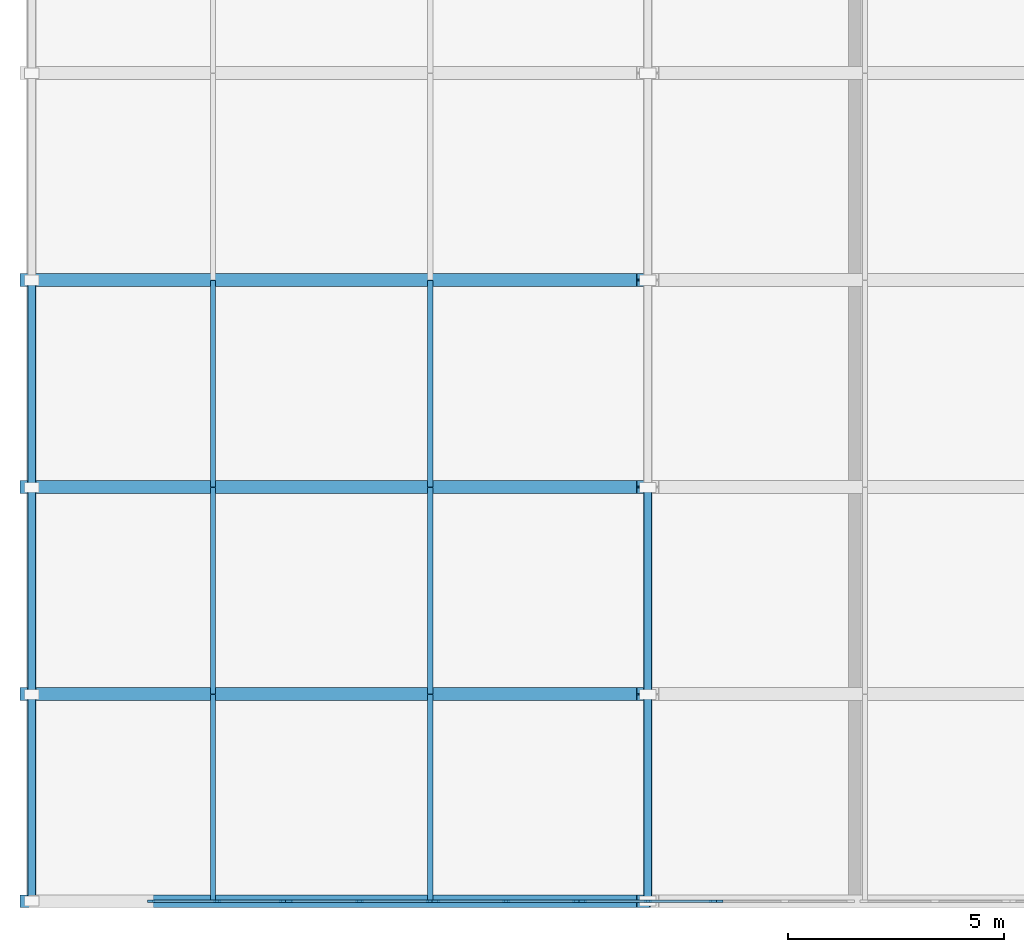
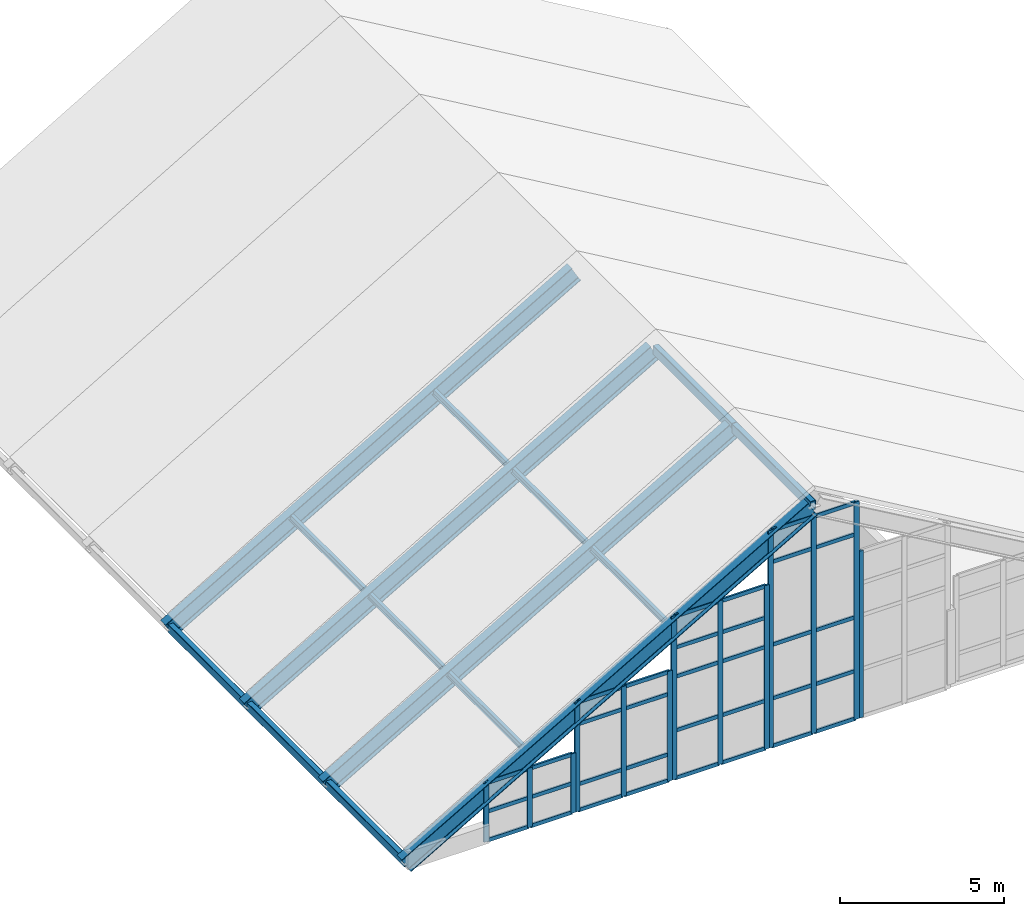
# One storey, part 1 of 7: 62 members, 5 elements without a shape of their own.
"""IFC4 building model written with IfcOpenShell, lengths in metres."""

import ifcopenshell
import ifcopenshell.guid

model = None  # the IFC model being written
_history = None  # IfcOwnerHistory: only IFC2X3 demands one
_inside = {}  # id of a spatial element -> (the spatial element, [elements in it])
_under = {}  # id of a project, library or spatial element -> (it, [spatial elements below it])
_declared = {}  # id of a project -> (the project, [libraries it declares])
_typed = {}  # id of a type object -> (the type object, [elements of that type])
_made_of = {}  # id of a material, layer set ... -> (it, [elements and type objects made of it])


def new_model(schema):
    """Start an empty IFC model of exactly this schema.

    Asked for "IFC4X3", IfcOpenShell would pick the latest addendum, in which some entities
    have other attributes; the version numbers below select the first issue.
    IFC2X3 requires an IfcOwnerHistory on every rooted entity: one is made here for all.
    """
    global model, _history
    if schema == "IFC4X3":
        model = ifcopenshell.file(schema_version=(4, 3, 0, 0))
    else:
        model = ifcopenshell.file(schema=schema)
    _inside.clear()
    _under.clear()
    _declared.clear()
    _typed.clear()
    _made_of.clear()
    _history = None
    if model.schema == "IFC2X3":
        org = make("IfcOrganization", Name="unknown")
        user = make(
            "IfcPersonAndOrganization",
            ThePerson=make("IfcPerson", FamilyName="unknown"),
            TheOrganization=org,
        )
        app = make(
            "IfcApplication",
            ApplicationDeveloper=org,
            Version="unknown",
            ApplicationFullName="unknown",
            ApplicationIdentifier="unknown",
        )
        _history = make(
            "IfcOwnerHistory",
            OwningUser=user,
            OwningApplication=app,
            ChangeAction="ADDED",
            CreationDate=0,
        )
    return model


def make(cls, **values):
    """One entity of the class cls with the attributes given. An attribute that is None is left unset."""
    return model.create_entity(
        cls, **{name: value for name, value in values.items() if value is not None}
    )


def rooted(cls, **values):
    """An entity with a GlobalId (a new one), such as an element, a storey or a relation."""
    return make(cls, GlobalId=ifcopenshell.guid.new(), OwnerHistory=_history, **values)


def si_unit(unit_type, name, prefix=None):
    """IfcSIUnit, for example si_unit("LENGTHUNIT", "METRE", prefix="MILLI")."""
    return make("IfcSIUnit", UnitType=unit_type, Prefix=prefix, Name=name)


def assignment(units):
    """IfcUnitAssignment: the units of a project."""
    return None if units is None else make("IfcUnitAssignment", Units=units)


def point(xyz):
    """IfcCartesianPoint."""
    return None if xyz is None else make("IfcCartesianPoint", Coordinates=xyz)


def direction(xyz):
    """IfcDirection."""
    return None if xyz is None else make("IfcDirection", DirectionRatios=xyz)


def frame(location, z_axis=None, x_axis=None):
    """IfcAxis2Placement3D, a coordinate frame: its origin and axes. An axis left out is left unset."""
    return make(
        "IfcAxis2Placement3D",
        Location=point(location),
        Axis=direction(z_axis),
        RefDirection=direction(x_axis),
    )


def frame_2d(location, x_axis=None):
    """IfcAxis2Placement2D, a coordinate frame in the plane: its origin and x axis."""
    return make(
        "IfcAxis2Placement2D", Location=point(location), RefDirection=direction(x_axis)
    )


def origin():
    """The frame at (0, 0, 0) with its axes left unset."""
    return frame((0.0, 0.0, 0.0))


def origin_2d():
    """The frame at (0, 0) in the plane with its x axis left unset."""
    return frame_2d((0.0, 0.0))


def place(relative_to, where):
    """IfcLocalPlacement: puts the frame where relative to a parent placement (None: the world)."""
    return make(
        "IfcLocalPlacement", PlacementRelTo=relative_to, RelativePlacement=where
    )


def context(
    kind, dimensions, precision=None, world=None, true_north=None, identifier=None
):
    """IfcGeometricRepresentationContext, for example the 3D "Model" context."""
    return make(
        "IfcGeometricRepresentationContext",
        ContextIdentifier=identifier,
        ContextType=kind,
        CoordinateSpaceDimension=dimensions,
        Precision=precision,
        WorldCoordinateSystem=world,
        TrueNorth=true_north,
    )


def subcontext(parent, identifier, kind, view, scale=None):
    """IfcGeometricRepresentationSubContext, for example "Body" below "Model"."""
    return make(
        "IfcGeometricRepresentationSubContext",
        ContextIdentifier=identifier,
        ContextType=kind,
        ParentContext=parent,
        TargetScale=scale,
        TargetView=view,
    )


def project(units=None, contexts=None):
    """IfcProject with its units and contexts."""
    return rooted(
        "IfcProject",
        Name="project",
        RepresentationContexts=contexts,
        UnitsInContext=assignment(units),
    )


def spatial(cls, under=None, at=None, **own):
    """A site, building, storey or space (cls), placed at a placement, below another one or the project."""
    s = rooted(cls, ObjectPlacement=at, **own)
    if under is not None:
        _under.setdefault(under.id(), (under, []))[1].append(s)
    return s


def profile(cls, at=None, kind="AREA", **sizes):
    """A parametric profile (cls). Its sizes go by their IFC names, for example OverallWidth=200.0."""
    return make(cls, ProfileType=kind, Position=at, **sizes)


def rectangle(**sizes):
    """IfcRectangleProfileDef."""
    return profile("IfcRectangleProfileDef", **sizes)


def hollow_rectangle(**sizes):
    """IfcRectangleHollowProfileDef."""
    return profile("IfcRectangleHollowProfileDef", **sizes)


def i_section(**sizes):
    """IfcIShapeProfileDef."""
    return profile("IfcIShapeProfileDef", **sizes)


def extrude(swept, where, along, depth):
    """IfcExtrudedAreaSolid: the profile swept, set in the frame where, extruded along a direction by depth."""
    return make(
        "IfcExtrudedAreaSolid",
        SweptArea=swept,
        Position=where,
        ExtrudedDirection=direction(along),
        Depth=depth,
    )


def shape(context_of_items, identifier, shape_type, items):
    """IfcShapeRepresentation: the items that make up one representation, for example the "Body"."""
    return make(
        "IfcShapeRepresentation",
        ContextOfItems=context_of_items,
        RepresentationIdentifier=identifier,
        RepresentationType=shape_type,
        Items=items,
    )


def material(Name=None, Category=None):
    """IfcMaterial."""
    return make("IfcMaterial", Name=Name, Category=Category)


def layer(
    of_material, thickness, ventilated=None, Name=None, Category=None, Priority=None
):
    """IfcMaterialLayer: one layer of a wall or slab, of a material (None: an air gap)."""
    return make(
        "IfcMaterialLayer",
        Material=of_material,
        LayerThickness=thickness,
        IsVentilated=ventilated,
        Name=Name,
        Category=Category,
        Priority=Priority,
    )


def layer_set(layers, Name=None):
    """IfcMaterialLayerSet."""
    return make("IfcMaterialLayerSet", MaterialLayers=layers, LayerSetName=Name)


def material_profile(
    of_material, cross_section, Name=None, Category=None, Priority=None
):
    """IfcMaterialProfile: a cross section and its material."""
    return make(
        "IfcMaterialProfile",
        Name=Name,
        Material=of_material,
        Profile=cross_section,
        Priority=Priority,
        Category=Category,
    )


def profile_set(profiles, Name=None, composite=None):
    """IfcMaterialProfileSet."""
    return make(
        "IfcMaterialProfileSet",
        Name=Name,
        MaterialProfiles=profiles,
        CompositeProfile=composite,
    )


def made_of(thing, what):
    """Note that an element or type object is made of a material, layer set ...; save() writes the relation."""
    if what is not None:
        _made_of.setdefault(what.id(), (what, []))[1].append(thing)
    return thing


def type_object(cls, material=None, **own):
    """A type object (cls), such as IfcWallType, which elements share."""
    return made_of(rooted(cls, **own), material)


def element(
    cls,
    number,
    at=None,
    inside=None,
    cuts=None,
    type_object=None,
    material=None,
    context=None,
    identifier="Body",
    shape_type=None,
    held_by="IfcProductDefinitionShape",
    body=None,
    shapes=None,
    **own,
):
    """One element of the class cls, such as IfcWall. Its Tag is "e" and its number.

    at: its placement. inside: the storey or other place that contains it. cuts: it is an
    opening in that element (IfcRelVoidsElement). A single representation is given by context,
    identifier, shape_type and body (its items); several are given by shapes. held_by: the class
    of the entity that holds the representations. save() writes the other relations.
    """
    e = rooted(cls, Tag="e%d" % number, ObjectPlacement=at, **own)
    if body is not None:
        shapes = [shape(context, identifier, shape_type, body)]
    if shapes is not None:
        e.Representation = make(held_by, Representations=shapes)
    if inside is not None:
        _inside.setdefault(inside.id(), (inside, []))[1].append(e)
    if cuts is not None:
        rooted(
            "IfcRelVoidsElement", RelatingBuildingElement=cuts, RelatedOpeningElement=e
        )
    if type_object is not None:
        _typed.setdefault(type_object.id(), (type_object, []))[1].append(e)
    return made_of(e, material)


def aggregate(whole, parts):
    """IfcRelAggregates: a whole, such as a stair, and the parts it consists of."""
    return rooted("IfcRelAggregates", RelatingObject=whole, RelatedObjects=parts)


def save(model, path):
    """Write the relations noted so far, then the file.

    IfcRelAggregates (storeys below a building ...), IfcRelContainedInSpatialStructure (elements
    in a storey), IfcRelDefinesByType, IfcRelAssociatesMaterial and IfcRelDeclares: one each for
    every whole, place, type object, material and project.
    """
    for whole, parts in _under.values():
        aggregate(whole, parts)
    for where, things in _inside.values():
        rooted(
            "IfcRelContainedInSpatialStructure",
            RelatedElements=things,
            RelatingStructure=where,
        )
    for kind, things in _typed.values():
        rooted("IfcRelDefinesByType", RelatedObjects=things, RelatingType=kind)
    for what, things in _made_of.values():
        rooted("IfcRelAssociatesMaterial", RelatedObjects=things, RelatingMaterial=what)
    for by, libraries in _declared.values():
        rooted("IfcRelDeclares", RelatingContext=by, RelatedDefinitions=libraries)
    model.write(path)


model = new_model("IFC4")

# Units and contexts
model_context = context("Model", 3, precision=1e-05, world=origin(), true_north=direction((0.0, 1.0)))
body_context = subcontext(model_context, "Body", "Model", "MODEL_VIEW")
ifc_project = project(units=[si_unit("LENGTHUNIT", "METRE"), si_unit("AREAUNIT", "SQUARE_METRE"), si_unit("VOLUMEUNIT", "CUBIC_METRE"), si_unit("PLANEANGLEUNIT", "RADIAN"), si_unit("MASSUNIT", "GRAM", prefix="KILO")], contexts=[model_context])

# Site, building, storey
site_placement = place(None, origin())
site = spatial("IfcSite", under=ifc_project, at=site_placement, CompositionType="ELEMENT")
building_placement = place(site_placement, origin())
building = spatial("IfcBuilding", under=site, at=building_placement, Name="Nordkorset Police Headquarters", CompositionType="ELEMENT")
storey_placement = place(building_placement, frame((0.0, 0.0, 36.050048828125)))
storey = spatial("IfcBuildingStorey", under=building, at=storey_placement, Name="RF", CompositionType="ELEMENT", Elevation=36.050048828125)

# Curtain wall, members
ifc_material_1 = material(Name="Aluminium alloy AW-6060", Category="aluminium")
ifc_layer_1 = layer(ifc_material_1, 0.179931640625, Name="Aluminium alloy AW-6060")
ifc_layer_set_1 = layer_set([ifc_layer_1], Name="Aluminium alloy AW-6060")
curtain_wall_type_1 = type_object("IfcCurtainWallType", Name="CW_Unit_312x221", PredefinedType="USERDEFINED", material=ifc_layer_set_1)
curtain_wall_1_placement = place(storey_placement, origin())
curtain_wall_1 = element("IfcCurtainWall", 1, at=curtain_wall_1_placement, inside=storey, type_object=curtain_wall_type_1, Name="Unitised Curtain Wall RF V1GBL-S-G1", ObjectType="UNITISED CURTAIN WALL", PredefinedType="USERDEFINED")
ifc_material_2 = material(Name="Aluminium alloy AW-6060", Category="aluminium")
ifc_material_profile_1 = material_profile(ifc_material_2, rectangle(XDim=0.06494140625, YDim=0.179931640625, at=origin_2d()), Name="ALU MULL 65x180")
ifc_profile_set_1 = profile_set([ifc_material_profile_1], Name="Aluminium alloy AW-6060")
member_type_1 = type_object("IfcMemberType", Name="CW_Mullion_65x180", PredefinedType="MULLION", material=ifc_profile_set_1)
member_1_placement = place(storey_placement, frame((2.892578125, 83.199951171875, -0.18994140625), z_axis=(0.0, 0.0, 1.0), x_axis=(0.0, 1.0, 0.0)))
member_1 = element("IfcMember", 2, at=member_1_placement, type_object=member_type_1, Name="CW-43 mullion 1", PredefinedType="MULLION", context=body_context, shape_type="SweptSolid", body=[
    extrude(rectangle(XDim=0.06494140625, YDim=0.179931640625, at=origin_2d()), origin(), (0.0, 0.0, 1.0), 2.21142578125),
])
member_2_placement = place(storey_placement, frame((4.419921875, 83.199951171875, -0.18994140625), z_axis=(0.0, 0.0, 1.0), x_axis=(0.0, 1.0, 0.0)))
member_2 = element("IfcMember", 3, at=member_2_placement, type_object=member_type_1, Name="CW-43 mullion 2", PredefinedType="MULLION", context=body_context, shape_type="SweptSolid", body=[
    extrude(rectangle(XDim=0.06494140625, YDim=0.179931640625, at=origin_2d()), origin(), (0.0, 0.0, 1.0), 2.21142578125),
])
member_3_placement = place(storey_placement, frame((5.947509765625, 83.199951171875, -0.18994140625), z_axis=(0.0, 0.0, 1.0), x_axis=(0.0, 1.0, 0.0)))
member_3 = element("IfcMember", 4, at=member_3_placement, type_object=member_type_1, Name="CW-43 mullion 3", PredefinedType="MULLION", context=body_context, shape_type="SweptSolid", body=[
    extrude(rectangle(XDim=0.06494140625, YDim=0.179931640625, at=origin_2d()), origin(), (0.0, 0.0, 1.0), 2.21142578125),
])

ifc_material_3 = material(Name="Aluminium alloy AW-6060", Category="aluminium")
ifc_layer_2 = layer(ifc_material_3, 0.179931640625, Name="Aluminium alloy AW-6060")
ifc_layer_set_2 = layer_set([ifc_layer_2], Name="Aluminium alloy AW-6060")
curtain_wall_type_2 = type_object("IfcCurtainWallType", Name="CW_Unit_332x409", PredefinedType="USERDEFINED", material=ifc_layer_set_2)
curtain_wall_2_placement = place(storey_placement, origin())
curtain_wall_2 = element("IfcCurtainWall", 5, at=curtain_wall_2_placement, inside=storey, type_object=curtain_wall_type_2, Name="Unitised Curtain Wall RF V1GBL-S-G2", ObjectType="UNITISED CURTAIN WALL", PredefinedType="USERDEFINED")
member_4_placement = place(storey_placement, frame((6.092529296875, 83.199951171875, -0.18994140625), z_axis=(0.0, 0.0, 1.0), x_axis=(0.0, 1.0, 0.0)))
member_4 = element("IfcMember", 6, at=member_4_placement, type_object=member_type_1, Name="CW-37 mullion 1", PredefinedType="MULLION", context=body_context, shape_type="SweptSolid", body=[
    extrude(rectangle(XDim=0.06494140625, YDim=0.179931640625, at=origin_2d()), origin(), (0.0, 0.0, 1.0), 4.089111328125),
])
member_5_placement = place(storey_placement, frame((7.719970703125, 83.199951171875, -0.18994140625), z_axis=(0.0, 0.0, 1.0), x_axis=(0.0, 1.0, 0.0)))
member_5 = element("IfcMember", 7, at=member_5_placement, type_object=member_type_1, Name="CW-37 mullion 2", PredefinedType="MULLION", context=body_context, shape_type="SweptSolid", body=[
    extrude(rectangle(XDim=0.06494140625, YDim=0.179931640625, at=origin_2d()), origin(), (0.0, 0.0, 1.0), 4.089111328125),
])
member_6_placement = place(storey_placement, frame((9.347412109375, 83.199951171875, -0.18994140625), z_axis=(0.0, 0.0, 1.0), x_axis=(0.0, 1.0, 0.0)))
member_6 = element("IfcMember", 8, at=member_6_placement, type_object=member_type_1, Name="CW-37 mullion 3", PredefinedType="MULLION", context=body_context, shape_type="SweptSolid", body=[
    extrude(rectangle(XDim=0.06494140625, YDim=0.179931640625, at=origin_2d()), origin(), (0.0, 0.0, 1.0), 4.089111328125),
])

ifc_material_4 = material(Name="Aluminium alloy AW-6060", Category="aluminium")
ifc_layer_3 = layer(ifc_material_4, 0.179931640625, Name="Aluminium alloy AW-6060")
ifc_layer_set_3 = layer_set([ifc_layer_3], Name="Aluminium alloy AW-6060")
curtain_wall_type_3 = type_object("IfcCurtainWallType", Name="CW_Unit_332x608", PredefinedType="USERDEFINED", material=ifc_layer_set_3)
curtain_wall_3_placement = place(storey_placement, origin())
curtain_wall_3 = element("IfcCurtainWall", 9, at=curtain_wall_3_placement, inside=storey, type_object=curtain_wall_type_3, Name="Unitised Curtain Wall RF V1GBL-S-G3", ObjectType="UNITISED CURTAIN WALL", PredefinedType="USERDEFINED")
member_7_placement = place(storey_placement, frame((9.492431640625, 83.199951171875, -0.18994140625), z_axis=(0.0, 0.0, 1.0), x_axis=(0.0, 1.0, 0.0)))
member_7 = element("IfcMember", 10, at=member_7_placement, type_object=member_type_1, Name="CW-15 mullion 1", PredefinedType="MULLION", context=body_context, shape_type="SweptSolid", body=[
    extrude(rectangle(XDim=0.06494140625, YDim=0.179931640625, at=origin_2d()), origin(), (0.0, 0.0, 1.0), 6.084228515625),
])
member_8_placement = place(storey_placement, frame((11.1201171875, 83.199951171875, -0.18994140625), z_axis=(0.0, 0.0, 1.0), x_axis=(0.0, 1.0, 0.0)))
member_8 = element("IfcMember", 11, at=member_8_placement, type_object=member_type_1, Name="CW-15 mullion 2", PredefinedType="MULLION", context=body_context, shape_type="SweptSolid", body=[
    extrude(rectangle(XDim=0.06494140625, YDim=0.179931640625, at=origin_2d()), origin(), (0.0, 0.0, 1.0), 6.084228515625),
])
member_9_placement = place(storey_placement, frame((12.74755859375, 83.199951171875, -0.18994140625), z_axis=(0.0, 0.0, 1.0), x_axis=(0.0, 1.0, 0.0)))
member_9 = element("IfcMember", 12, at=member_9_placement, type_object=member_type_1, Name="CW-15 mullion 3", PredefinedType="MULLION", context=body_context, shape_type="SweptSolid", body=[
    extrude(rectangle(XDim=0.06494140625, YDim=0.179931640625, at=origin_2d()), origin(), (0.0, 0.0, 1.0), 6.084228515625),
])

ifc_material_5 = material(Name="Aluminium alloy AW-6060", Category="aluminium")
ifc_layer_4 = layer(ifc_material_5, 0.179931640625, Name="Aluminium alloy AW-6060")
ifc_layer_set_4 = layer_set([ifc_layer_4], Name="Aluminium alloy AW-6060")
curtain_wall_type_4 = type_object("IfcCurtainWallType", Name="CW_Unit_308x808", PredefinedType="USERDEFINED", material=ifc_layer_set_4)
curtain_wall_4_placement = place(storey_placement, origin())
curtain_wall_4 = element("IfcCurtainWall", 13, at=curtain_wall_4_placement, inside=storey, type_object=curtain_wall_type_4, Name="Unitised Curtain Wall RF V1GBL-S-G4", ObjectType="UNITISED CURTAIN WALL", PredefinedType="USERDEFINED")
member_10_placement = place(storey_placement, frame((12.892578125, 83.199951171875, -0.18994140625), z_axis=(0.0, 0.0, 1.0), x_axis=(0.0, 1.0, 0.0)))
member_10 = element("IfcMember", 14, at=member_10_placement, type_object=member_type_1, Name="CW-30 mullion 1", PredefinedType="MULLION", context=body_context, shape_type="SweptSolid", body=[
    extrude(rectangle(XDim=0.06494140625, YDim=0.179931640625, at=origin_2d()), origin(), (0.0, 0.0, 1.0), 8.07958984375),
])
member_11_placement = place(storey_placement, frame((14.39990234375, 83.199951171875, -0.18994140625), z_axis=(0.0, 0.0, 1.0), x_axis=(0.0, 1.0, 0.0)))
member_11 = element("IfcMember", 15, at=member_11_placement, type_object=member_type_1, Name="CW-30 mullion 2", PredefinedType="MULLION", context=body_context, shape_type="SweptSolid", body=[
    extrude(rectangle(XDim=0.06494140625, YDim=0.179931640625, at=origin_2d()), origin(), (0.0, 0.0, 1.0), 8.07958984375),
])
member_12_placement = place(storey_placement, frame((15.907470703125, 83.199951171875, -0.18994140625), z_axis=(0.0, 0.0, 1.0), x_axis=(0.0, 1.0, 0.0)))
member_12 = element("IfcMember", 16, at=member_12_placement, type_object=member_type_1, Name="CW-30 mullion 3", PredefinedType="MULLION", context=body_context, shape_type="SweptSolid", body=[
    extrude(rectangle(XDim=0.06494140625, YDim=0.179931640625, at=origin_2d()), origin(), (0.0, 0.0, 1.0), 8.07958984375),
])

# Curtain wall, member
ifc_material_6 = material(Name="Aluminium alloy AW-6060", Category="aluminium")
ifc_layer_5 = layer(ifc_material_6, 0.179931640625, Name="Aluminium alloy AW-6060")
ifc_layer_set_5 = layer_set([ifc_layer_5], Name="Aluminium alloy AW-6060")
curtain_wall_type_5 = type_object("IfcCurtainWallType", Name="CW_Unit_312x620", PredefinedType="USERDEFINED", material=ifc_layer_set_5)
curtain_wall_5_placement = place(storey_placement, origin())
curtain_wall_5 = element("IfcCurtainWall", 17, at=curtain_wall_5_placement, inside=storey, type_object=curtain_wall_type_5, Name="Unitised Curtain Wall RF V1GBL-S-G5", ObjectType="UNITISED CURTAIN WALL", PredefinedType="USERDEFINED")
member_13_placement = place(storey_placement, frame((16.052490234375, 83.199951171875, -0.18994140625), z_axis=(0.0, 0.0, 1.0), x_axis=(0.0, 1.0, 0.0)))
member_13 = element("IfcMember", 18, at=member_13_placement, type_object=member_type_1, Name="CW-44 mullion 1", PredefinedType="MULLION", context=body_context, shape_type="SweptSolid", body=[
    extrude(rectangle(XDim=0.06494140625, YDim=0.179931640625, at=origin_2d()), origin(), (0.0, 0.0, 1.0), 6.20166015625),
])
aggregate(curtain_wall_5, [member_13])

# Member
ifc_material_7 = material(Name="Aluminium alloy AW-6060", Category="aluminium")
ifc_material_profile_2 = material_profile(ifc_material_7, rectangle(XDim=0.06494140625, YDim=0.139892578125, at=origin_2d()), Name="ALU TRAN 65x140")
ifc_profile_set_2 = profile_set([ifc_material_profile_2], Name="Aluminium alloy AW-6060")
member_type_2 = type_object("IfcMemberType", Name="CW_Transom_65x140", PredefinedType="USERDEFINED", material=ifc_profile_set_2)
member_14_placement = place(storey_placement, frame((2.925048828125, 83.199951171875, -0.157470703125), z_axis=(1.0, 0.0, 0.0), x_axis=(0.0, 1.0, 0.0)))
member_14 = element("IfcMember", 19, at=member_14_placement, type_object=member_type_2, Name="CW-43 transom 1.1", ObjectType="TRANSOM", PredefinedType="USERDEFINED", context=body_context, shape_type="SweptSolid", body=[
    extrude(rectangle(XDim=0.06494140625, YDim=0.139892578125, at=origin_2d()), origin(), (0.0, 0.0, 1.0), 1.46240234375),
])

member_15_placement = place(storey_placement, frame((2.925048828125, 83.199951171875, 0.915771484375), z_axis=(1.0, 0.0, 0.0), x_axis=(0.0, 1.0, 0.0)))
member_15 = element("IfcMember", 20, at=member_15_placement, type_object=member_type_2, Name="CW-43 transom 1.2", ObjectType="TRANSOM", PredefinedType="USERDEFINED", context=body_context, shape_type="SweptSolid", body=[
    extrude(rectangle(XDim=0.06494140625, YDim=0.139892578125, at=origin_2d()), origin(), (0.0, 0.0, 1.0), 1.46240234375),
])

member_16_placement = place(storey_placement, frame((2.925048828125, 83.199951171875, 1.989013671875), z_axis=(1.0, 0.0, 0.0), x_axis=(0.0, 1.0, 0.0)))
member_16 = element("IfcMember", 21, at=member_16_placement, type_object=member_type_2, Name="CW-43 transom 1.3", ObjectType="TRANSOM", PredefinedType="USERDEFINED", context=body_context, shape_type="SweptSolid", body=[
    extrude(rectangle(XDim=0.06494140625, YDim=0.139892578125, at=origin_2d()), origin(), (0.0, 0.0, 1.0), 1.46240234375),
])

member_17_placement = place(storey_placement, frame((4.452392578125, 83.199951171875, -0.157470703125), z_axis=(1.0, 0.0, 0.0), x_axis=(0.0, 1.0, 0.0)))
member_17 = element("IfcMember", 22, at=member_17_placement, type_object=member_type_2, Name="CW-43 transom 2.1", ObjectType="TRANSOM", PredefinedType="USERDEFINED", context=body_context, shape_type="SweptSolid", body=[
    extrude(rectangle(XDim=0.06494140625, YDim=0.139892578125, at=origin_2d()), origin(), (0.0, 0.0, 1.0), 1.462646484375),
])

member_18_placement = place(storey_placement, frame((4.452392578125, 83.199951171875, 0.915771484375), z_axis=(1.0, 0.0, 0.0), x_axis=(0.0, 1.0, 0.0)))
member_18 = element("IfcMember", 23, at=member_18_placement, type_object=member_type_2, Name="CW-43 transom 2.2", ObjectType="TRANSOM", PredefinedType="USERDEFINED", context=body_context, shape_type="SweptSolid", body=[
    extrude(rectangle(XDim=0.06494140625, YDim=0.139892578125, at=origin_2d()), origin(), (0.0, 0.0, 1.0), 1.462646484375),
])

member_19_placement = place(storey_placement, frame((4.452392578125, 83.199951171875, 1.989013671875), z_axis=(1.0, 0.0, 0.0), x_axis=(0.0, 1.0, 0.0)))
member_19 = element("IfcMember", 24, at=member_19_placement, type_object=member_type_2, Name="CW-43 transom 2.3", ObjectType="TRANSOM", PredefinedType="USERDEFINED", context=body_context, shape_type="SweptSolid", body=[
    extrude(rectangle(XDim=0.06494140625, YDim=0.139892578125, at=origin_2d()), origin(), (0.0, 0.0, 1.0), 1.462646484375),
])

aggregate(curtain_wall_1, [member_1, member_2, member_3, member_14, member_15, member_16, member_17, member_18, member_19])

member_20_placement = place(storey_placement, frame((6.125, 83.199951171875, -0.157470703125), z_axis=(1.0, 0.0, 0.0), x_axis=(0.0, 1.0, 0.0)))
member_20 = element("IfcMember", 25, at=member_20_placement, type_object=member_type_2, Name="CW-37 transom 1.1", ObjectType="TRANSOM", PredefinedType="USERDEFINED", context=body_context, shape_type="SweptSolid", body=[
    extrude(rectangle(XDim=0.06494140625, YDim=0.139892578125, at=origin_2d()), origin(), (0.0, 0.0, 1.0), 1.5625),
])

member_21_placement = place(storey_placement, frame((6.125, 83.199951171875, 0.81005859375), z_axis=(1.0, 0.0, 0.0), x_axis=(0.0, 1.0, 0.0)))
member_21 = element("IfcMember", 26, at=member_21_placement, type_object=member_type_2, Name="CW-37 transom 1.2", ObjectType="TRANSOM", PredefinedType="USERDEFINED", context=body_context, shape_type="SweptSolid", body=[
    extrude(rectangle(XDim=0.06494140625, YDim=0.139892578125, at=origin_2d()), origin(), (0.0, 0.0, 1.0), 1.5625),
])

member_22_placement = place(storey_placement, frame((6.125, 83.199951171875, 3.04931640625), z_axis=(1.0, 0.0, 0.0), x_axis=(0.0, 1.0, 0.0)))
member_22 = element("IfcMember", 27, at=member_22_placement, type_object=member_type_2, Name="CW-37 transom 1.3", ObjectType="TRANSOM", PredefinedType="USERDEFINED", context=body_context, shape_type="SweptSolid", body=[
    extrude(rectangle(XDim=0.06494140625, YDim=0.139892578125, at=origin_2d()), origin(), (0.0, 0.0, 1.0), 1.5625),
])

member_23_placement = place(storey_placement, frame((6.125, 83.199951171875, 3.86669921875), z_axis=(1.0, 0.0, 0.0), x_axis=(0.0, 1.0, 0.0)))
member_23 = element("IfcMember", 28, at=member_23_placement, type_object=member_type_2, Name="CW-37 transom 1.4", ObjectType="TRANSOM", PredefinedType="USERDEFINED", context=body_context, shape_type="SweptSolid", body=[
    extrude(rectangle(XDim=0.06494140625, YDim=0.139892578125, at=origin_2d()), origin(), (0.0, 0.0, 1.0), 1.5625),
])

member_24_placement = place(storey_placement, frame((7.75244140625, 83.199951171875, -0.157470703125), z_axis=(1.0, 0.0, 0.0), x_axis=(0.0, 1.0, 0.0)))
member_24 = element("IfcMember", 29, at=member_24_placement, type_object=member_type_2, Name="CW-37 transom 2.1", ObjectType="TRANSOM", PredefinedType="USERDEFINED", context=body_context, shape_type="SweptSolid", body=[
    extrude(rectangle(XDim=0.06494140625, YDim=0.139892578125, at=origin_2d()), origin(), (0.0, 0.0, 1.0), 1.5625),
])

member_25_placement = place(storey_placement, frame((7.75244140625, 83.199951171875, 0.81005859375), z_axis=(1.0, 0.0, 0.0), x_axis=(0.0, 1.0, 0.0)))
member_25 = element("IfcMember", 30, at=member_25_placement, type_object=member_type_2, Name="CW-37 transom 2.2", ObjectType="TRANSOM", PredefinedType="USERDEFINED", context=body_context, shape_type="SweptSolid", body=[
    extrude(rectangle(XDim=0.06494140625, YDim=0.139892578125, at=origin_2d()), origin(), (0.0, 0.0, 1.0), 1.5625),
])

member_26_placement = place(storey_placement, frame((7.75244140625, 83.199951171875, 3.04931640625), z_axis=(1.0, 0.0, 0.0), x_axis=(0.0, 1.0, 0.0)))
member_26 = element("IfcMember", 31, at=member_26_placement, type_object=member_type_2, Name="CW-37 transom 2.3", ObjectType="TRANSOM", PredefinedType="USERDEFINED", context=body_context, shape_type="SweptSolid", body=[
    extrude(rectangle(XDim=0.06494140625, YDim=0.139892578125, at=origin_2d()), origin(), (0.0, 0.0, 1.0), 1.5625),
])

member_27_placement = place(storey_placement, frame((7.75244140625, 83.199951171875, 3.86669921875), z_axis=(1.0, 0.0, 0.0), x_axis=(0.0, 1.0, 0.0)))
member_27 = element("IfcMember", 32, at=member_27_placement, type_object=member_type_2, Name="CW-37 transom 2.4", ObjectType="TRANSOM", PredefinedType="USERDEFINED", context=body_context, shape_type="SweptSolid", body=[
    extrude(rectangle(XDim=0.06494140625, YDim=0.139892578125, at=origin_2d()), origin(), (0.0, 0.0, 1.0), 1.5625),
])

aggregate(curtain_wall_2, [member_4, member_5, member_6, member_20, member_21, member_22, member_23, member_24, member_25, member_26, member_27])

member_28_placement = place(storey_placement, frame((9.52490234375, 83.199951171875, -0.157470703125), z_axis=(1.0, 0.0, 0.0), x_axis=(0.0, 1.0, 0.0)))
member_28 = element("IfcMember", 33, at=member_28_placement, type_object=member_type_2, Name="CW-15 transom 1.1", ObjectType="TRANSOM", PredefinedType="USERDEFINED", context=body_context, shape_type="SweptSolid", body=[
    extrude(rectangle(XDim=0.06494140625, YDim=0.139892578125, at=origin_2d()), origin(), (0.0, 0.0, 1.0), 1.5625),
])

member_29_placement = place(storey_placement, frame((9.52490234375, 83.199951171875, 1.60986328125), z_axis=(1.0, 0.0, 0.0), x_axis=(0.0, 1.0, 0.0)))
member_29 = element("IfcMember", 34, at=member_29_placement, type_object=member_type_2, Name="CW-15 transom 1.2", ObjectType="TRANSOM", PredefinedType="USERDEFINED", context=body_context, shape_type="SweptSolid", body=[
    extrude(rectangle(XDim=0.06494140625, YDim=0.139892578125, at=origin_2d()), origin(), (0.0, 0.0, 1.0), 1.5625),
])

member_30_placement = place(storey_placement, frame((9.52490234375, 83.199951171875, 3.60986328125), z_axis=(1.0, 0.0, 0.0), x_axis=(0.0, 1.0, 0.0)))
member_30 = element("IfcMember", 35, at=member_30_placement, type_object=member_type_2, Name="CW-15 transom 1.3", ObjectType="TRANSOM", PredefinedType="USERDEFINED", context=body_context, shape_type="SweptSolid", body=[
    extrude(rectangle(XDim=0.06494140625, YDim=0.139892578125, at=origin_2d()), origin(), (0.0, 0.0, 1.0), 1.5625),
])

member_31_placement = place(storey_placement, frame((9.52490234375, 83.199951171875, 4.6943359375), z_axis=(1.0, 0.0, 0.0), x_axis=(0.0, 1.0, 0.0)))
member_31 = element("IfcMember", 36, at=member_31_placement, type_object=member_type_2, Name="CW-15 transom 1.4", ObjectType="TRANSOM", PredefinedType="USERDEFINED", context=body_context, shape_type="SweptSolid", body=[
    extrude(rectangle(XDim=0.06494140625, YDim=0.139892578125, at=origin_2d()), origin(), (0.0, 0.0, 1.0), 1.5625),
])

member_32_placement = place(storey_placement, frame((9.52490234375, 83.199951171875, 5.86181640625), z_axis=(1.0, 0.0, 0.0), x_axis=(0.0, 1.0, 0.0)))
member_32 = element("IfcMember", 37, at=member_32_placement, type_object=member_type_2, Name="CW-15 transom 1.5", ObjectType="TRANSOM", PredefinedType="USERDEFINED", context=body_context, shape_type="SweptSolid", body=[
    extrude(rectangle(XDim=0.06494140625, YDim=0.139892578125, at=origin_2d()), origin(), (0.0, 0.0, 1.0), 1.5625),
])

member_33_placement = place(storey_placement, frame((11.152587890625, 83.199951171875, -0.157470703125), z_axis=(1.0, 0.0, 0.0), x_axis=(0.0, 1.0, 0.0)))
member_33 = element("IfcMember", 38, at=member_33_placement, type_object=member_type_2, Name="CW-15 transom 2.1", ObjectType="TRANSOM", PredefinedType="USERDEFINED", context=body_context, shape_type="SweptSolid", body=[
    extrude(rectangle(XDim=0.06494140625, YDim=0.139892578125, at=origin_2d()), origin(), (0.0, 0.0, 1.0), 1.5625),
])

member_34_placement = place(storey_placement, frame((11.152587890625, 83.199951171875, 1.60986328125), z_axis=(1.0, 0.0, 0.0), x_axis=(0.0, 1.0, 0.0)))
member_34 = element("IfcMember", 39, at=member_34_placement, type_object=member_type_2, Name="CW-15 transom 2.2", ObjectType="TRANSOM", PredefinedType="USERDEFINED", context=body_context, shape_type="SweptSolid", body=[
    extrude(rectangle(XDim=0.06494140625, YDim=0.139892578125, at=origin_2d()), origin(), (0.0, 0.0, 1.0), 1.5625),
])

member_35_placement = place(storey_placement, frame((11.152587890625, 83.199951171875, 3.60986328125), z_axis=(1.0, 0.0, 0.0), x_axis=(0.0, 1.0, 0.0)))
member_35 = element("IfcMember", 40, at=member_35_placement, type_object=member_type_2, Name="CW-15 transom 2.3", ObjectType="TRANSOM", PredefinedType="USERDEFINED", context=body_context, shape_type="SweptSolid", body=[
    extrude(rectangle(XDim=0.06494140625, YDim=0.139892578125, at=origin_2d()), origin(), (0.0, 0.0, 1.0), 1.5625),
])

member_36_placement = place(storey_placement, frame((11.152587890625, 83.199951171875, 4.6943359375), z_axis=(1.0, 0.0, 0.0), x_axis=(0.0, 1.0, 0.0)))
member_36 = element("IfcMember", 41, at=member_36_placement, type_object=member_type_2, Name="CW-15 transom 2.4", ObjectType="TRANSOM", PredefinedType="USERDEFINED", context=body_context, shape_type="SweptSolid", body=[
    extrude(rectangle(XDim=0.06494140625, YDim=0.139892578125, at=origin_2d()), origin(), (0.0, 0.0, 1.0), 1.5625),
])

member_37_placement = place(storey_placement, frame((11.152587890625, 83.199951171875, 5.86181640625), z_axis=(1.0, 0.0, 0.0), x_axis=(0.0, 1.0, 0.0)))
member_37 = element("IfcMember", 42, at=member_37_placement, type_object=member_type_2, Name="CW-15 transom 2.5", ObjectType="TRANSOM", PredefinedType="USERDEFINED", context=body_context, shape_type="SweptSolid", body=[
    extrude(rectangle(XDim=0.06494140625, YDim=0.139892578125, at=origin_2d()), origin(), (0.0, 0.0, 1.0), 1.5625),
])

aggregate(curtain_wall_3, [member_7, member_8, member_9, member_28, member_29, member_30, member_31, member_32, member_33, member_34, member_35, member_36, member_37])

member_38_placement = place(storey_placement, frame((12.925048828125, 83.199951171875, -0.157470703125), z_axis=(1.0, 0.0, 0.0), x_axis=(0.0, 1.0, 0.0)))
member_38 = element("IfcMember", 43, at=member_38_placement, type_object=member_type_2, Name="CW-30 transom 1.1", ObjectType="TRANSOM", PredefinedType="USERDEFINED", context=body_context, shape_type="SweptSolid", body=[
    extrude(rectangle(XDim=0.06494140625, YDim=0.139892578125, at=origin_2d()), origin(), (0.0, 0.0, 1.0), 1.4423828125),
])

member_39_placement = place(storey_placement, frame((12.925048828125, 83.199951171875, 1.60986328125), z_axis=(1.0, 0.0, 0.0), x_axis=(0.0, 1.0, 0.0)))
member_39 = element("IfcMember", 44, at=member_39_placement, type_object=member_type_2, Name="CW-30 transom 1.2", ObjectType="TRANSOM", PredefinedType="USERDEFINED", context=body_context, shape_type="SweptSolid", body=[
    extrude(rectangle(XDim=0.06494140625, YDim=0.139892578125, at=origin_2d()), origin(), (0.0, 0.0, 1.0), 1.4423828125),
])

member_40_placement = place(storey_placement, frame((12.925048828125, 83.199951171875, 3.60986328125), z_axis=(1.0, 0.0, 0.0), x_axis=(0.0, 1.0, 0.0)))
member_40 = element("IfcMember", 45, at=member_40_placement, type_object=member_type_2, Name="CW-30 transom 1.3", ObjectType="TRANSOM", PredefinedType="USERDEFINED", context=body_context, shape_type="SweptSolid", body=[
    extrude(rectangle(XDim=0.06494140625, YDim=0.139892578125, at=origin_2d()), origin(), (0.0, 0.0, 1.0), 1.4423828125),
])

member_41_placement = place(storey_placement, frame((12.925048828125, 83.199951171875, 6.689453125), z_axis=(1.0, 0.0, 0.0), x_axis=(0.0, 1.0, 0.0)))
member_41 = element("IfcMember", 46, at=member_41_placement, type_object=member_type_2, Name="CW-30 transom 1.4", ObjectType="TRANSOM", PredefinedType="USERDEFINED", context=body_context, shape_type="SweptSolid", body=[
    extrude(rectangle(XDim=0.06494140625, YDim=0.139892578125, at=origin_2d()), origin(), (0.0, 0.0, 1.0), 1.4423828125),
])

member_42_placement = place(storey_placement, frame((12.925048828125, 83.199951171875, 7.85693359375), z_axis=(1.0, 0.0, 0.0), x_axis=(0.0, 1.0, 0.0)))
member_42 = element("IfcMember", 47, at=member_42_placement, type_object=member_type_2, Name="CW-30 transom 1.5", ObjectType="TRANSOM", PredefinedType="USERDEFINED", context=body_context, shape_type="SweptSolid", body=[
    extrude(rectangle(XDim=0.06494140625, YDim=0.139892578125, at=origin_2d()), origin(), (0.0, 0.0, 1.0), 1.4423828125),
])

member_43_placement = place(storey_placement, frame((14.4326171875, 83.199951171875, -0.157470703125), z_axis=(1.0, 0.0, 0.0), x_axis=(0.0, 1.0, 0.0)))
member_43 = element("IfcMember", 48, at=member_43_placement, type_object=member_type_2, Name="CW-30 transom 2.1", ObjectType="TRANSOM", PredefinedType="USERDEFINED", context=body_context, shape_type="SweptSolid", body=[
    extrude(rectangle(XDim=0.06494140625, YDim=0.139892578125, at=origin_2d()), origin(), (0.0, 0.0, 1.0), 1.4423828125),
])

member_44_placement = place(storey_placement, frame((14.4326171875, 83.199951171875, 1.60986328125), z_axis=(1.0, 0.0, 0.0), x_axis=(0.0, 1.0, 0.0)))
member_44 = element("IfcMember", 49, at=member_44_placement, type_object=member_type_2, Name="CW-30 transom 2.2", ObjectType="TRANSOM", PredefinedType="USERDEFINED", context=body_context, shape_type="SweptSolid", body=[
    extrude(rectangle(XDim=0.06494140625, YDim=0.139892578125, at=origin_2d()), origin(), (0.0, 0.0, 1.0), 1.4423828125),
])

member_45_placement = place(storey_placement, frame((14.4326171875, 83.199951171875, 3.60986328125), z_axis=(1.0, 0.0, 0.0), x_axis=(0.0, 1.0, 0.0)))
member_45 = element("IfcMember", 50, at=member_45_placement, type_object=member_type_2, Name="CW-30 transom 2.3", ObjectType="TRANSOM", PredefinedType="USERDEFINED", context=body_context, shape_type="SweptSolid", body=[
    extrude(rectangle(XDim=0.06494140625, YDim=0.139892578125, at=origin_2d()), origin(), (0.0, 0.0, 1.0), 1.4423828125),
])

member_46_placement = place(storey_placement, frame((14.4326171875, 83.199951171875, 6.689453125), z_axis=(1.0, 0.0, 0.0), x_axis=(0.0, 1.0, 0.0)))
member_46 = element("IfcMember", 51, at=member_46_placement, type_object=member_type_2, Name="CW-30 transom 2.4", ObjectType="TRANSOM", PredefinedType="USERDEFINED", context=body_context, shape_type="SweptSolid", body=[
    extrude(rectangle(XDim=0.06494140625, YDim=0.139892578125, at=origin_2d()), origin(), (0.0, 0.0, 1.0), 1.4423828125),
])

member_47_placement = place(storey_placement, frame((14.4326171875, 83.199951171875, 7.85693359375), z_axis=(1.0, 0.0, 0.0), x_axis=(0.0, 1.0, 0.0)))
member_47 = element("IfcMember", 52, at=member_47_placement, type_object=member_type_2, Name="CW-30 transom 2.5", ObjectType="TRANSOM", PredefinedType="USERDEFINED", context=body_context, shape_type="SweptSolid", body=[
    extrude(rectangle(XDim=0.06494140625, YDim=0.139892578125, at=origin_2d()), origin(), (0.0, 0.0, 1.0), 1.4423828125),
])

aggregate(curtain_wall_4, [member_10, member_11, member_12, member_38, member_39, member_40, member_41, member_42, member_43, member_44, member_45, member_46, member_47])

# Members
ifc_material_8 = material(Name="Steel S355J2", Category="steel")
ifc_material_profile_3 = material_profile(ifc_material_8, hollow_rectangle(XDim=0.199951171875, YDim=0.300048828125, WallThickness=0.012451171875, InnerFilletRadius=0.012451171875, OuterFilletRadius=0.02490234375, at=origin_2d()), Name="RHS 300x200x12.5")
ifc_profile_set_3 = profile_set([ifc_material_profile_3], Name="Steel S355J2")
member_type_3 = type_object("IfcMemberType", Name="Chord_RHS_300x200x12.5", PredefinedType="CHORD", material=ifc_profile_set_3)
for number, where, z_axis, x_axis, name in (
    (53, (0.1201171875, 83.20703125, -0.010009765625), (0.0, 1.0, 0.0), (-1.0, 0.0, 0.0), "Folded-Plate Roof Eaves Chord W Bay 1"),
    (54, (0.1201171875, 88.007080078125, -0.010009765625), (0.0, 1.0, 0.0), (-1.0, 0.0, 0.0), "Folded-Plate Roof Eaves Chord W Bay 2"),
):
    element("IfcMember", number, at=place(storey_placement, frame(where, z_axis=z_axis, x_axis=x_axis)), inside=storey, type_object=member_type_3, Name=name, PredefinedType="CHORD", context=body_context, shape_type="SweptSolid", body=[
        extrude(hollow_rectangle(XDim=0.199951171875, YDim=0.300048828125, WallThickness=0.012451171875, InnerFilletRadius=0.012451171875, OuterFilletRadius=0.02490234375, at=origin_2d()), origin(), (0.0, 0.0, 1.0), 4.785888671875),
    ])
member_48_placement = place(storey_placement, frame((0.1201171875, 92.806884765625, -0.010009765625), z_axis=(0.0, 1.0, 0.0), x_axis=(-1.0, 0.0, 0.0)))
element("IfcMember", 55, at=member_48_placement, inside=storey, type_object=member_type_3, Name="Folded-Plate Roof Eaves Chord W Bay 3", PredefinedType="CHORD", context=body_context, shape_type="SweptSolid", body=[
    extrude(hollow_rectangle(XDim=0.199951171875, YDim=0.300048828125, WallThickness=0.012451171875, InnerFilletRadius=0.012451171875, OuterFilletRadius=0.02490234375, at=origin_2d()), origin(), (0.0, 0.0, 1.0), 4.7861328125),
])
ifc_material_9 = material(Name="Steel S355J2", Category="steel")
ifc_material_profile_4 = material_profile(ifc_material_9, hollow_rectangle(XDim=0.199951171875, YDim=0.35009765625, WallThickness=0.012451171875, InnerFilletRadius=0.012451171875, OuterFilletRadius=0.02490234375, at=origin_2d()), Name="RHS 350x200x12.5")
ifc_profile_set_4 = profile_set([ifc_material_profile_4], Name="Steel S355J2")
member_type_4 = type_object("IfcMemberType", Name="Chord_RHS_350x200x12.5", PredefinedType="CHORD", material=ifc_profile_set_4)
for number, where, z_axis, x_axis, name in (
    (56, (14.39990234375, 83.20703125, 8.25), (0.0, 1.0, 0.0), (-1.0, 0.0, 0.0), "Folded-Plate Roof Ridge Chord Bay 1"),
    (57, (14.39990234375, 88.007080078125, 8.25), (0.0, 1.0, 0.0), (-1.0, 0.0, 0.0), "Folded-Plate Roof Ridge Chord Bay 2"),
):
    element("IfcMember", number, at=place(storey_placement, frame(where, z_axis=z_axis, x_axis=x_axis)), inside=storey, type_object=member_type_4, Name=name, PredefinedType="CHORD", context=body_context, shape_type="SweptSolid", body=[
        extrude(hollow_rectangle(XDim=0.199951171875, YDim=0.35009765625, WallThickness=0.012451171875, InnerFilletRadius=0.012451171875, OuterFilletRadius=0.02490234375, at=origin_2d()), origin(), (0.0, 0.0, 1.0), 4.785888671875),
    ])
ifc_material_10 = material(Name="Steel S355J2", Category="steel")
ifc_material_profile_5 = material_profile(ifc_material_10, i_section(OverallWidth=0.1201171875, OverallDepth=0.239990234375, WebThickness=0.006103515625, FlangeThickness=0.009765625, FilletRadius=0.014892578125, at=origin_2d()), Name="IPE 240")
ifc_profile_set_5 = profile_set([ifc_material_profile_5], Name="Steel S355J2")
member_type_5 = type_object("IfcMemberType", Name="Purlin_IPE_240", PredefinedType="PURLIN", material=ifc_profile_set_5)
for number, where, z_axis, x_axis, name in (
    (58, (4.320068359375, 83.20703125, 2.66796875), (0.0, 1.0, 0.0), (-1.0, 0.0, 0.0), "Folded-Plate Roof Purlin W Bay 1"),
    (59, (9.360107421875, 83.20703125, 5.558837890625), (0.0, 1.0, 0.0), (-1.0, 0.0, 0.0), "Folded-Plate Roof Purlin W Bay 1"),
    (60, (4.320068359375, 88.007080078125, 2.66796875), (0.0, 1.0, 0.0), (-1.0, 0.0, 0.0), "Folded-Plate Roof Purlin W Bay 2"),
    (61, (9.360107421875, 88.007080078125, 5.558837890625), (0.0, 1.0, 0.0), (-1.0, 0.0, 0.0), "Folded-Plate Roof Purlin W Bay 2"),
):
    element("IfcMember", number, at=place(storey_placement, frame(where, z_axis=z_axis, x_axis=x_axis)), inside=storey, type_object=member_type_5, Name=name, PredefinedType="PURLIN", context=body_context, shape_type="SweptSolid", body=[
        extrude(i_section(OverallWidth=0.1201171875, OverallDepth=0.239990234375, WebThickness=0.006103515625, FlangeThickness=0.009765625, FilletRadius=0.014892578125, at=origin_2d()), origin(), (0.0, 0.0, 1.0), 4.785888671875),
    ])
for number, where, z_axis, x_axis, name in (
    (62, (4.320068359375, 92.806884765625, 2.66796875), (0.0, 1.0, 0.0), (-1.0, 0.0, 0.0), "Folded-Plate Roof Purlin W Bay 3"),
    (63, (9.360107421875, 92.806884765625, 5.558837890625), (0.0, 1.0, 0.0), (-1.0, 0.0, 0.0), "Folded-Plate Roof Purlin W Bay 3"),
):
    element("IfcMember", number, at=place(storey_placement, frame(where, z_axis=z_axis, x_axis=x_axis)), inside=storey, type_object=member_type_5, Name=name, PredefinedType="PURLIN", context=body_context, shape_type="SweptSolid", body=[
        extrude(i_section(OverallWidth=0.1201171875, OverallDepth=0.239990234375, WebThickness=0.006103515625, FlangeThickness=0.009765625, FilletRadius=0.014892578125, at=origin_2d()), origin(), (0.0, 0.0, 1.0), 4.7861328125),
    ])
ifc_material_11 = material(Name="Steel S355J2", Category="steel")
ifc_material_profile_6 = material_profile(ifc_material_11, i_section(OverallWidth=0.300048828125, OverallDepth=0.639892578125, WebThickness=0.013427734375, FlangeThickness=0.02587890625, FilletRadius=0.027099609375, at=origin_2d()), Name="HEA 650")
ifc_profile_set_6 = profile_set([ifc_material_profile_6], Name="Steel S355J2")
member_type_6 = type_object("IfcMemberType", Name="Rafter_HEA_650", PredefinedType="RAFTER", material=ifc_profile_set_6)
for number, where, z_axis, x_axis, name in (
    (64, (0.008056640625, 83.199951171875, -0.010009765625), (0.865801712235, 0.0, 0.500387245132), (0.0, 1.0, 0.0), "Folded-Plate Roof Rafter West 1"),
    (65, (0.008056640625, 88.0, -0.010009765625), (0.865801712235, 0.0, 0.500387245132), (0.0, 1.0, 0.0), "Folded-Plate Roof Rafter West 2"),
    (66, (0.008056640625, 92.800048828125, -0.010009765625), (0.865801712235, 0.0, 0.500387245132), (0.0, 1.0, 0.0), "Folded-Plate Roof Rafter West 3"),
    (67, (0.008056640625, 97.60009765625, -0.010009765625), (0.865801712235, 0.0, 0.500387245132), (0.0, 1.0, 0.0), "Folded-Plate Roof Rafter West 4"),
):
    element("IfcMember", number, at=place(storey_placement, frame(where, z_axis=z_axis, x_axis=x_axis)), inside=storey, type_object=member_type_6, Name=name, PredefinedType="RAFTER", context=body_context, shape_type="SweptSolid", body=[
        extrude(i_section(OverallWidth=0.300048828125, OverallDepth=0.639892578125, WebThickness=0.013427734375, FlangeThickness=0.02587890625, FilletRadius=0.027099609375, at=origin_2d()), origin(), (0.0, 0.0, 1.0), 16.50732421875),
    ])

save(model, "model.ifc")
